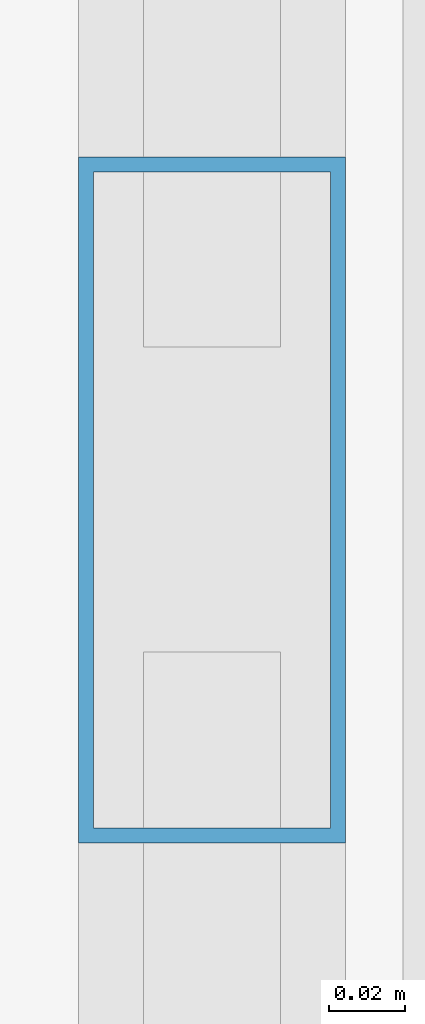
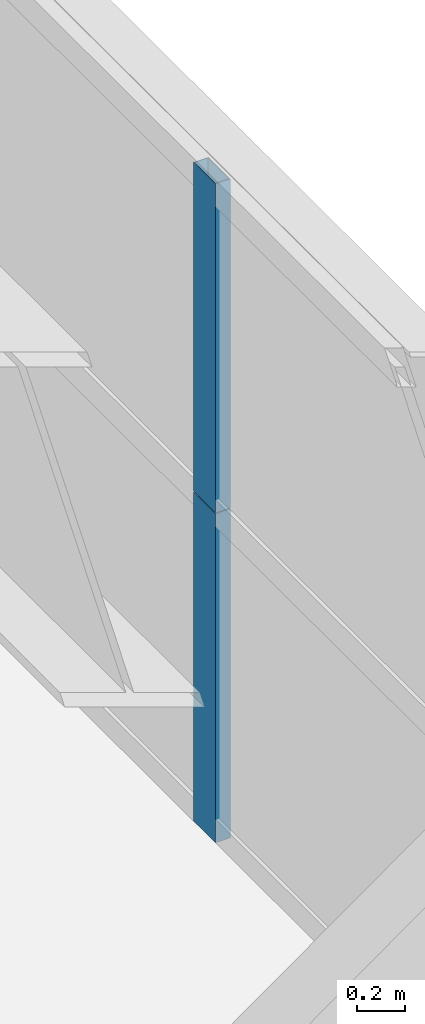
# One storey, part 32 of 44: 2 members, 1 element without a shape of its own.
"""IFC4 building model written with IfcOpenShell, lengths in metres."""

from ifc_helpers import new_model, si_unit, direction, frame, origin, origin_2d, place, context, subcontext, project, spatial, hollow_rectangle, extrude, source, transform, mapped, material, layer, layer_set, material_profile, profile_set, type_object, element, aggregate, save


model = new_model("IFC4")

# Units and contexts
model_context = context("Model", 3, precision=1e-05, world=origin(), true_north=direction((0.0, 1.0)))
body_context = subcontext(model_context, "Body", "Model", "MODEL_VIEW")
ifc_project = project(units=[si_unit("LENGTHUNIT", "METRE"), si_unit("AREAUNIT", "SQUARE_METRE"), si_unit("VOLUMEUNIT", "CUBIC_METRE"), si_unit("PLANEANGLEUNIT", "RADIAN"), si_unit("MASSUNIT", "GRAM", prefix="KILO"), si_unit("THERMODYNAMICTEMPERATUREUNIT", "KELVIN"), si_unit("POWERUNIT", "WATT")], contexts=[model_context])

# Site, building, storey
site_placement = place(None, origin())
site = spatial("IfcSite", under=ifc_project, at=site_placement, CompositionType="ELEMENT")
building_placement = place(site_placement, origin())
building = spatial("IfcBuilding", under=site, at=building_placement, Name="Yuzanri Waterfront Tower", CompositionType="ELEMENT")
storey_placement = place(building_placement, frame((0.0, 0.0, 82.0)))
storey = spatial("IfcBuildingStorey", under=building, at=storey_placement, Name="L21", CompositionType="ELEMENT", Elevation=82.0)

# Curtain wall, members
ifc_material_1 = material(Name="Anodized Architectural Bronze", Category="metal")
ifc_layer = layer(ifc_material_1, 0.159912109375)
ifc_layer_set = layer_set([ifc_layer], Name="Anodized Architectural Bronze")
curtain_wall_type = type_object("IfcCurtainWallType", Name="Anodized Bronze Hotel Lower-Tier Recessed Unitized Curtain Wall 8100", PredefinedType="NOTDEFINED", material=ifc_layer_set)
curtain_wall_placement = place(storey_placement, origin())
curtain_wall = element("IfcCurtainWall", 1, at=curtain_wall_placement, inside=storey, type_object=curtain_wall_type, Name="L21 Curtain Wall CW-L21-ER", PredefinedType="NOTDEFINED")
ifc_material_2 = material(Name="Anodized Architectural Bronze", Category="metal")
ifc_material_profile = material_profile(ifc_material_2, hollow_rectangle(XDim=0.070068359375, YDim=0.179931640625, WallThickness=0.00390625, at=origin_2d()), Name="CWM 70x180")
ifc_profile_set = profile_set([ifc_material_profile], Name="Anodized Architectural Bronze")
member_type = type_object("IfcMemberType", Name="Anodized Bronze Standard Curtain-Wall Mullion 70x180", PredefinedType="MULLION", material=ifc_profile_set)
shared_shape = source(origin(), body_context, "Body", "SweptSolid", [
    extrude(hollow_rectangle(XDim=0.070068359375, YDim=0.179931640625, WallThickness=0.00390625, at=origin_2d()), origin(), (0.0, 0.0, 1.0), 1.657958984375),
])
member_1_placement = place(storey_placement, frame((61.949951171875, 34.89990234375, 0.0), z_axis=(0.0, 0.0, 1.0), x_axis=(1.0, 0.0, 0.0)))
member_1 = element("IfcMember", 2, at=member_1_placement, type_object=member_type, Name="CW-L21-ER Lower Mullion 01", PredefinedType="MULLION", context=body_context, shape_type="MappedRepresentation", body=[
    mapped(shared_shape, transform((0.0, 0.0, 0.0), scale=1.0)),
])
member_2_placement = place(storey_placement, frame((61.949951171875, 34.89990234375, 1.662109375), z_axis=(0.0, 0.0, 1.0), x_axis=(1.0, 0.0, 0.0)))
member_2 = element("IfcMember", 3, at=member_2_placement, type_object=member_type, Name="CW-L21-ER Upper Mullion 01", PredefinedType="MULLION", context=body_context, shape_type="MappedRepresentation", body=[
    mapped(shared_shape, transform((0.0, 0.0, 0.0), scale=1.0)),
])
aggregate(curtain_wall, [member_1, member_2])

save(model, "model.ifc")
